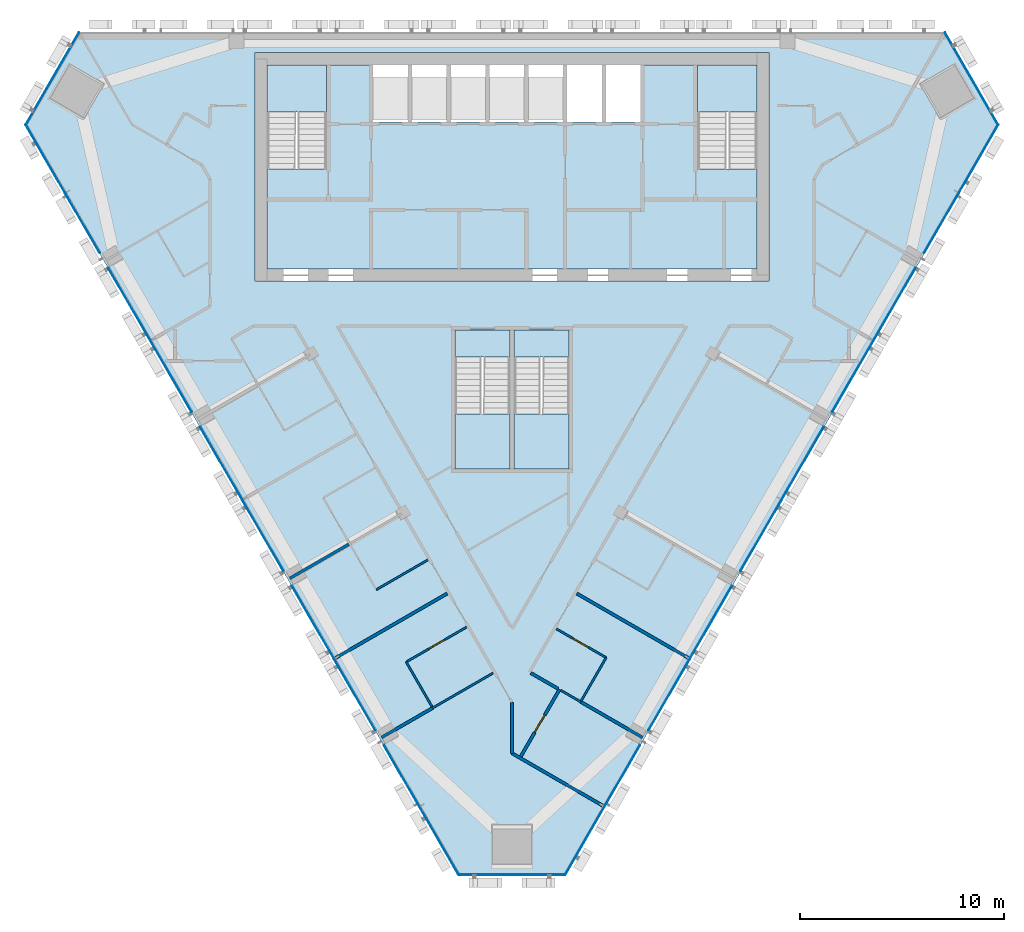
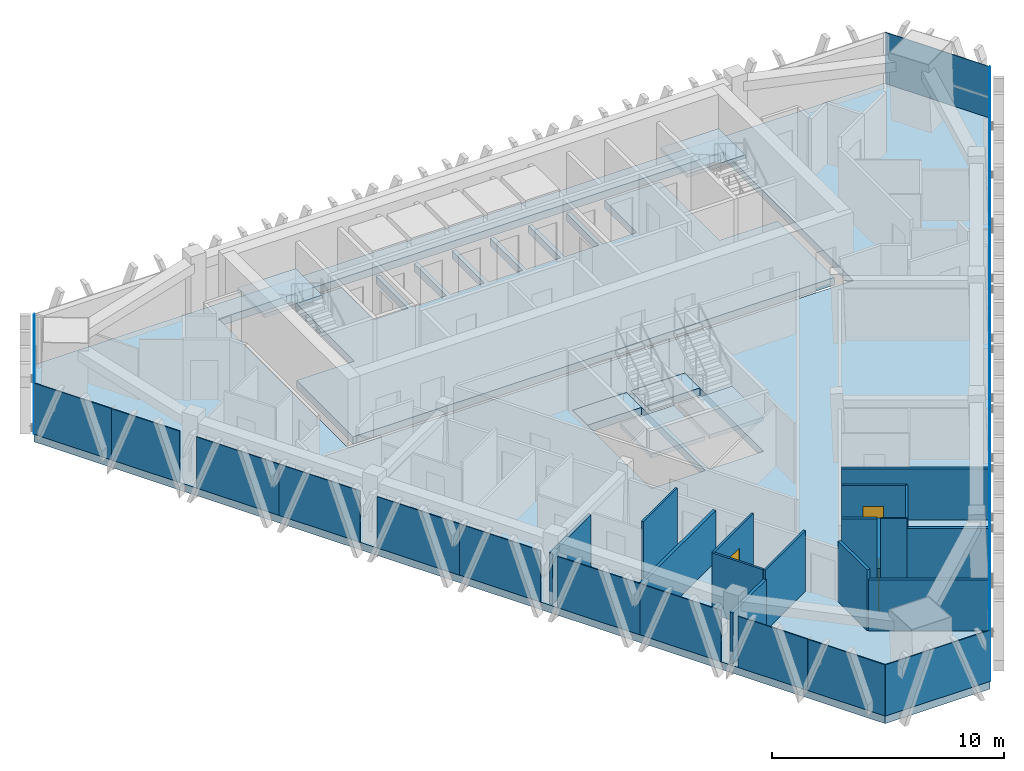
# One storey, part 7 of 15: 23 plates, 16 walls, 8 slabs, 3 doors, 3 openings, 9 elements without a shape of their own.
"""IFC4 building model written with IfcOpenShell, lengths in metres."""

import ifcopenshell
import ifcopenshell.guid

model = None  # the IFC model being written
_history = None  # IfcOwnerHistory: only IFC2X3 demands one
_inside = {}  # id of a spatial element -> (the spatial element, [elements in it])
_under = {}  # id of a project, library or spatial element -> (it, [spatial elements below it])
_declared = {}  # id of a project -> (the project, [libraries it declares])
_typed = {}  # id of a type object -> (the type object, [elements of that type])
_made_of = {}  # id of a material, layer set ... -> (it, [elements and type objects made of it])


def new_model(schema):
    """Start an empty IFC model of exactly this schema.

    Asked for "IFC4X3", IfcOpenShell would pick the latest addendum, in which some entities
    have other attributes; the version numbers below select the first issue.
    IFC2X3 requires an IfcOwnerHistory on every rooted entity: one is made here for all.
    """
    global model, _history
    if schema == "IFC4X3":
        model = ifcopenshell.file(schema_version=(4, 3, 0, 0))
    else:
        model = ifcopenshell.file(schema=schema)
    _inside.clear()
    _under.clear()
    _declared.clear()
    _typed.clear()
    _made_of.clear()
    _history = None
    if model.schema == "IFC2X3":
        org = make("IfcOrganization", Name="unknown")
        user = make(
            "IfcPersonAndOrganization",
            ThePerson=make("IfcPerson", FamilyName="unknown"),
            TheOrganization=org,
        )
        app = make(
            "IfcApplication",
            ApplicationDeveloper=org,
            Version="unknown",
            ApplicationFullName="unknown",
            ApplicationIdentifier="unknown",
        )
        _history = make(
            "IfcOwnerHistory",
            OwningUser=user,
            OwningApplication=app,
            ChangeAction="ADDED",
            CreationDate=0,
        )
    return model


def make(cls, **values):
    """One entity of the class cls with the attributes given. An attribute that is None is left unset."""
    return model.create_entity(
        cls, **{name: value for name, value in values.items() if value is not None}
    )


def rooted(cls, **values):
    """An entity with a GlobalId (a new one), such as an element, a storey or a relation."""
    return make(cls, GlobalId=ifcopenshell.guid.new(), OwnerHistory=_history, **values)


def si_unit(unit_type, name, prefix=None):
    """IfcSIUnit, for example si_unit("LENGTHUNIT", "METRE", prefix="MILLI")."""
    return make("IfcSIUnit", UnitType=unit_type, Prefix=prefix, Name=name)


def assignment(units):
    """IfcUnitAssignment: the units of a project."""
    return None if units is None else make("IfcUnitAssignment", Units=units)


def point(xyz):
    """IfcCartesianPoint."""
    return None if xyz is None else make("IfcCartesianPoint", Coordinates=xyz)


def direction(xyz):
    """IfcDirection."""
    return None if xyz is None else make("IfcDirection", DirectionRatios=xyz)


def frame(location, z_axis=None, x_axis=None):
    """IfcAxis2Placement3D, a coordinate frame: its origin and axes. An axis left out is left unset."""
    return make(
        "IfcAxis2Placement3D",
        Location=point(location),
        Axis=direction(z_axis),
        RefDirection=direction(x_axis),
    )


def frame_2d(location, x_axis=None):
    """IfcAxis2Placement2D, a coordinate frame in the plane: its origin and x axis."""
    return make(
        "IfcAxis2Placement2D", Location=point(location), RefDirection=direction(x_axis)
    )


def origin():
    """The frame at (0, 0, 0) with its axes left unset."""
    return frame((0.0, 0.0, 0.0))


def origin_2d():
    """The frame at (0, 0) in the plane with its x axis left unset."""
    return frame_2d((0.0, 0.0))


def place(relative_to, where):
    """IfcLocalPlacement: puts the frame where relative to a parent placement (None: the world)."""
    return make(
        "IfcLocalPlacement", PlacementRelTo=relative_to, RelativePlacement=where
    )


def context(
    kind, dimensions, precision=None, world=None, true_north=None, identifier=None
):
    """IfcGeometricRepresentationContext, for example the 3D "Model" context."""
    return make(
        "IfcGeometricRepresentationContext",
        ContextIdentifier=identifier,
        ContextType=kind,
        CoordinateSpaceDimension=dimensions,
        Precision=precision,
        WorldCoordinateSystem=world,
        TrueNorth=true_north,
    )


def subcontext(parent, identifier, kind, view, scale=None):
    """IfcGeometricRepresentationSubContext, for example "Body" below "Model"."""
    return make(
        "IfcGeometricRepresentationSubContext",
        ContextIdentifier=identifier,
        ContextType=kind,
        ParentContext=parent,
        TargetScale=scale,
        TargetView=view,
    )


def project(units=None, contexts=None):
    """IfcProject with its units and contexts."""
    return rooted(
        "IfcProject",
        Name="project",
        RepresentationContexts=contexts,
        UnitsInContext=assignment(units),
    )


def spatial(cls, under=None, at=None, **own):
    """A site, building, storey or space (cls), placed at a placement, below another one or the project."""
    s = rooted(cls, ObjectPlacement=at, **own)
    if under is not None:
        _under.setdefault(under.id(), (under, []))[1].append(s)
    return s


def polyline(points):
    """IfcPolyline through the points."""
    return make("IfcPolyline", Points=[point(p) for p in points])


def profile(cls, at=None, kind="AREA", **sizes):
    """A parametric profile (cls). Its sizes go by their IFC names, for example OverallWidth=200.0."""
    return make(cls, ProfileType=kind, Position=at, **sizes)


def rectangle(**sizes):
    """IfcRectangleProfileDef."""
    return profile("IfcRectangleProfileDef", **sizes)


def outline(outer, holes=None, kind="AREA"):
    """IfcArbitraryClosedProfileDef: a profile drawn as a closed curve; with holes, ...WithVoids."""
    if holes is None:
        return make("IfcArbitraryClosedProfileDef", ProfileType=kind, OuterCurve=outer)
    return make(
        "IfcArbitraryProfileDefWithVoids",
        ProfileType=kind,
        OuterCurve=outer,
        InnerCurves=holes,
    )


def extrude(swept, where, along, depth):
    """IfcExtrudedAreaSolid: the profile swept, set in the frame where, extruded along a direction by depth."""
    return make(
        "IfcExtrudedAreaSolid",
        SweptArea=swept,
        Position=where,
        ExtrudedDirection=direction(along),
        Depth=depth,
    )


def shape(context_of_items, identifier, shape_type, items):
    """IfcShapeRepresentation: the items that make up one representation, for example the "Body"."""
    return make(
        "IfcShapeRepresentation",
        ContextOfItems=context_of_items,
        RepresentationIdentifier=identifier,
        RepresentationType=shape_type,
        Items=items,
    )


def material(Name=None, Category=None):
    """IfcMaterial."""
    return make("IfcMaterial", Name=Name, Category=Category)


def layer(
    of_material, thickness, ventilated=None, Name=None, Category=None, Priority=None
):
    """IfcMaterialLayer: one layer of a wall or slab, of a material (None: an air gap)."""
    return make(
        "IfcMaterialLayer",
        Material=of_material,
        LayerThickness=thickness,
        IsVentilated=ventilated,
        Name=Name,
        Category=Category,
        Priority=Priority,
    )


def layer_set(layers, Name=None):
    """IfcMaterialLayerSet."""
    return make("IfcMaterialLayerSet", MaterialLayers=layers, LayerSetName=Name)


def made_of(thing, what):
    """Note that an element or type object is made of a material, layer set ...; save() writes the relation."""
    if what is not None:
        _made_of.setdefault(what.id(), (what, []))[1].append(thing)
    return thing


def type_object(cls, material=None, **own):
    """A type object (cls), such as IfcWallType, which elements share."""
    return made_of(rooted(cls, **own), material)


def element(
    cls,
    number,
    at=None,
    inside=None,
    cuts=None,
    type_object=None,
    material=None,
    context=None,
    identifier="Body",
    shape_type=None,
    held_by="IfcProductDefinitionShape",
    body=None,
    shapes=None,
    **own,
):
    """One element of the class cls, such as IfcWall. Its Tag is "e" and its number.

    at: its placement. inside: the storey or other place that contains it. cuts: it is an
    opening in that element (IfcRelVoidsElement). A single representation is given by context,
    identifier, shape_type and body (its items); several are given by shapes. held_by: the class
    of the entity that holds the representations. save() writes the other relations.
    """
    e = rooted(cls, Tag="e%d" % number, ObjectPlacement=at, **own)
    if body is not None:
        shapes = [shape(context, identifier, shape_type, body)]
    if shapes is not None:
        e.Representation = make(held_by, Representations=shapes)
    if inside is not None:
        _inside.setdefault(inside.id(), (inside, []))[1].append(e)
    if cuts is not None:
        rooted(
            "IfcRelVoidsElement", RelatingBuildingElement=cuts, RelatedOpeningElement=e
        )
    if type_object is not None:
        _typed.setdefault(type_object.id(), (type_object, []))[1].append(e)
    return made_of(e, material)


def fill(opening, filler):
    """IfcRelFillsElement: the door or window that sits in an opening."""
    return rooted(
        "IfcRelFillsElement",
        RelatingOpeningElement=opening,
        RelatedBuildingElement=filler,
    )


def aggregate(whole, parts):
    """IfcRelAggregates: a whole, such as a stair, and the parts it consists of."""
    return rooted("IfcRelAggregates", RelatingObject=whole, RelatedObjects=parts)


def save(model, path):
    """Write the relations noted so far, then the file.

    IfcRelAggregates (storeys below a building ...), IfcRelContainedInSpatialStructure (elements
    in a storey), IfcRelDefinesByType, IfcRelAssociatesMaterial and IfcRelDeclares: one each for
    every whole, place, type object, material and project.
    """
    for whole, parts in _under.values():
        aggregate(whole, parts)
    for where, things in _inside.values():
        rooted(
            "IfcRelContainedInSpatialStructure",
            RelatedElements=things,
            RelatingStructure=where,
        )
    for kind, things in _typed.values():
        rooted("IfcRelDefinesByType", RelatedObjects=things, RelatingType=kind)
    for what, things in _made_of.values():
        rooted("IfcRelAssociatesMaterial", RelatedObjects=things, RelatingMaterial=what)
    for by, libraries in _declared.values():
        rooted("IfcRelDeclares", RelatingContext=by, RelatedDefinitions=libraries)
    model.write(path)


model = new_model("IFC4")

# Units and contexts
model_context = context("Model", 3, precision=1e-05, world=origin(), true_north=direction((0.0, 1.0)))
body_context = subcontext(model_context, "Body", "Model", "MODEL_VIEW")
ifc_project = project(units=[si_unit("LENGTHUNIT", "METRE"), si_unit("AREAUNIT", "SQUARE_METRE"), si_unit("VOLUMEUNIT", "CUBIC_METRE"), si_unit("PLANEANGLEUNIT", "RADIAN"), si_unit("MASSUNIT", "GRAM", prefix="KILO")], contexts=[model_context])

# Site, building, storey
site_placement = place(None, origin())
site = spatial("IfcSite", under=ifc_project, at=site_placement, CompositionType="ELEMENT")
building_placement = place(site_placement, origin())
building = spatial("IfcBuilding", under=site, at=building_placement, Name="Altiplano Prism Tower", CompositionType="ELEMENT")
storey_placement = place(building_placement, frame((0.0, 0.0, 250.0)))
storey = spatial("IfcBuildingStorey", under=building, at=storey_placement, Name="L64", CompositionType="ELEMENT", Elevation=250.0)

# Curtain wall, plate
ifc_material_1 = material(Name="Aluminium and glass", Category="aluminium")
ifc_layer_1 = layer(ifc_material_1, 0.280029296875)
ifc_layer_set_1 = layer_set([ifc_layer_1], Name="Aluminium and glass")
curtain_wall_type = type_object("IfcCurtainWallType", Name="CW1 typical co-living unitised curtain wall", PredefinedType="NOTDEFINED", material=ifc_layer_set_1)
curtain_wall_1_placement = place(storey_placement, origin())
curtain_wall_1 = element("IfcCurtainWall", 1, at=curtain_wall_1_placement, inside=storey, type_object=curtain_wall_type, Name="CW1 curtain wall north-west chamfer L64", PredefinedType="NOTDEFINED")
ifc_material_2 = material(Name="Clear glass", Category="glass")
ifc_layer_2 = layer(ifc_material_2, 0.0400390625)
ifc_layer_set_2 = layer_set([ifc_layer_2], Name="Clear glass")
plate_type = type_object("IfcPlateType", Name="CW1 insulated glass unit 40", PredefinedType="CURTAIN_PANEL", material=ifc_layer_set_2)
plate_1_placement = place(storey_placement, frame((62.478271484375, 102.724365234375, 0.0), z_axis=(0.0, 0.0, 1.0), x_axis=(-0.500000018864, -0.866025392894, 0.0)))
plate_1 = element("IfcPlate", 2, at=plate_1_placement, type_object=plate_type, Name="CW1 panel", PredefinedType="CURTAIN_PANEL", context=body_context, shape_type="SweptSolid", body=[
    extrude(rectangle(XDim=5.22216796875, YDim=0.0400390625, at=origin_2d()), origin(), (0.0, 0.0, 1.0), 2.699951171875),
])
aggregate(curtain_wall_1, [plate_1])

# Curtain wall, plates
curtain_wall_2_placement = place(storey_placement, origin())
curtain_wall_2 = element("IfcCurtainWall", 3, at=curtain_wall_2_placement, inside=storey, type_object=curtain_wall_type, Name="CW1 curtain wall south-west face L64", PredefinedType="NOTDEFINED")
plate_2_placement = place(storey_placement, frame((62.136474609375, 98.804931640625, 0.0), z_axis=(0.0, 0.0, 1.0), x_axis=(0.500000000257, -0.866025403636, 0.0)))
plate_2 = element("IfcPlate", 4, at=plate_2_placement, type_object=plate_type, Name="CW1 panel", PredefinedType="CURTAIN_PANEL", context=body_context, shape_type="SweptSolid", body=[
    extrude(rectangle(XDim=3.85546875, YDim=0.0400390625, at=origin_2d()), origin(), (0.0, 0.0, 1.0), 2.699951171875),
])
plate_3_placement = place(storey_placement, frame((63.95556640625, 95.654052734375, 0.0), z_axis=(0.0, 0.0, 1.0), x_axis=(0.500000000257, -0.866025403636, 0.0)))
plate_3 = element("IfcPlate", 5, at=plate_3_placement, type_object=plate_type, Name="CW1 panel", PredefinedType="CURTAIN_PANEL", context=body_context, shape_type="SweptSolid", body=[
    extrude(rectangle(XDim=3.40087890625, YDim=0.0400390625, at=origin_2d()), origin(), (0.0, 0.0, 1.0), 2.699951171875),
])
plate_4_placement = place(storey_placement, frame((66.254638671875, 91.67236328125, 0.0), z_axis=(0.0, 0.0, 1.0), x_axis=(0.500000000257, -0.866025403636, 0.0)))
plate_4 = element("IfcPlate", 6, at=plate_4_placement, type_object=plate_type, Name="CW1 panel", PredefinedType="CURTAIN_PANEL", context=body_context, shape_type="SweptSolid", body=[
    extrude(rectangle(XDim=4.114501953125, YDim=0.0400390625, at=origin_2d()), origin(), (0.0, 0.0, 1.0), 2.699951171875),
])
plate_5_placement = place(storey_placement, frame((68.297119140625, 88.134765625, 0.0), z_axis=(0.0, 0.0, 1.0), x_axis=(0.500000000257, -0.866025403636, 0.0)))
plate_5 = element("IfcPlate", 7, at=plate_5_placement, type_object=plate_type, Name="CW1 panel", PredefinedType="CURTAIN_PANEL", context=body_context, shape_type="SweptSolid", body=[
    extrude(rectangle(XDim=4.035400390625, YDim=0.0400390625, at=origin_2d()), origin(), (0.0, 0.0, 1.0), 2.699951171875),
])
plate_6_placement = place(storey_placement, frame((70.754638671875, 83.878173828125, 0.0), z_axis=(0.0, 0.0, 1.0), x_axis=(0.500000000257, -0.866025403636, 0.0)))
plate_6 = element("IfcPlate", 8, at=plate_6_placement, type_object=plate_type, Name="CW1 panel", PredefinedType="CURTAIN_PANEL", context=body_context, shape_type="SweptSolid", body=[
    extrude(rectangle(XDim=4.114501953125, YDim=0.0400390625, at=origin_2d()), origin(), (0.0, 0.0, 1.0), 2.699951171875),
])
plate_7_placement = place(storey_placement, frame((72.797119140625, 80.34033203125, 0.0), z_axis=(0.0, 0.0, 1.0), x_axis=(0.500000000257, -0.866025403636, 0.0)))
plate_7 = element("IfcPlate", 9, at=plate_7_placement, type_object=plate_type, Name="CW1 panel", PredefinedType="CURTAIN_PANEL", context=body_context, shape_type="SweptSolid", body=[
    extrude(rectangle(XDim=4.035400390625, YDim=0.0400390625, at=origin_2d()), origin(), (0.0, 0.0, 1.0), 2.699951171875),
])
plate_8_placement = place(storey_placement, frame((75.254638671875, 76.083984375, 0.0), z_axis=(0.0, 0.0, 1.0), x_axis=(0.500000000257, -0.866025403636, 0.0)))
plate_8 = element("IfcPlate", 10, at=plate_8_placement, type_object=plate_type, Name="CW1 panel", PredefinedType="CURTAIN_PANEL", context=body_context, shape_type="SweptSolid", body=[
    extrude(rectangle(XDim=4.114501953125, YDim=0.0400390625, at=origin_2d()), origin(), (0.0, 0.0, 1.0), 2.699951171875),
])
plate_9_placement = place(storey_placement, frame((77.297119140625, 72.546142578125, 0.0), z_axis=(0.0, 0.0, 1.0), x_axis=(0.500000000257, -0.866025403636, 0.0)))
plate_9 = element("IfcPlate", 11, at=plate_9_placement, type_object=plate_type, Name="CW1 panel", PredefinedType="CURTAIN_PANEL", context=body_context, shape_type="SweptSolid", body=[
    extrude(rectangle(XDim=4.035400390625, YDim=0.0400390625, at=origin_2d()), origin(), (0.0, 0.0, 1.0), 2.699951171875),
])
plate_10_placement = place(storey_placement, frame((79.595947265625, 68.564453125, 0.0), z_axis=(0.0, 0.0, 1.0), x_axis=(0.500000000257, -0.866025403636, 0.0)))
plate_10 = element("IfcPlate", 12, at=plate_10_placement, type_object=plate_type, Name="CW1 panel", PredefinedType="CURTAIN_PANEL", context=body_context, shape_type="SweptSolid", body=[
    extrude(rectangle(XDim=3.47998046875, YDim=0.0400390625, at=origin_2d()), origin(), (0.0, 0.0, 1.0), 2.699951171875),
])
plate_11_placement = place(storey_placement, frame((81.434814453125, 65.37939453125, 0.0), z_axis=(0.0, 0.0, 1.0), x_axis=(0.500000000257, -0.866025403636, 0.0)))
plate_11 = element("IfcPlate", 13, at=plate_11_placement, type_object=plate_type, Name="CW1 panel", PredefinedType="CURTAIN_PANEL", context=body_context, shape_type="SweptSolid", body=[
    extrude(rectangle(XDim=3.85546875, YDim=0.0400390625, at=origin_2d()), origin(), (0.0, 0.0, 1.0), 2.699951171875),
])
aggregate(curtain_wall_2, [plate_2, plate_3, plate_4, plate_5, plate_6, plate_7, plate_8, plate_9, plate_10, plate_11])

# Curtain wall, plate
curtain_wall_3_placement = place(storey_placement, origin())
curtain_wall_3 = element("IfcCurtainWall", 14, at=curtain_wall_3_placement, inside=storey, type_object=curtain_wall_type, Name="CW1 curtain wall south chamfer L64", PredefinedType="NOTDEFINED")
plate_12_placement = place(storey_placement, frame((85.0, 63.715576171875, 0.0), z_axis=(0.0, 0.0, 1.0), x_axis=(1.0, 0.0, 0.0)))
plate_12 = element("IfcPlate", 15, at=plate_12_placement, type_object=plate_type, Name="CW1 panel", PredefinedType="CURTAIN_PANEL", context=body_context, shape_type="SweptSolid", body=[
    extrude(rectangle(XDim=5.22216796875, YDim=0.0400390625, at=origin_2d()), origin(), (0.0, 0.0, 1.0), 2.699951171875),
])
aggregate(curtain_wall_3, [plate_12])

# Curtain wall, plates
curtain_wall_4_placement = place(storey_placement, origin())
curtain_wall_4 = element("IfcCurtainWall", 16, at=curtain_wall_4_placement, inside=storey, type_object=curtain_wall_type, Name="CW1 curtain wall south-east face L64", PredefinedType="NOTDEFINED")
plate_13_placement = place(storey_placement, frame((88.565185546875, 65.37939453125, 0.0), z_axis=(0.0, 0.0, 1.0), x_axis=(0.500000000257, 0.866025403636, 0.0)))
plate_13 = element("IfcPlate", 17, at=plate_13_placement, type_object=plate_type, Name="CW1 panel", PredefinedType="CURTAIN_PANEL", context=body_context, shape_type="SweptSolid", body=[
    extrude(rectangle(XDim=3.85546875, YDim=0.0400390625, at=origin_2d()), origin(), (0.0, 0.0, 1.0), 2.699951171875),
])
plate_14_placement = place(storey_placement, frame((90.404052734375, 68.564453125, 0.0), z_axis=(0.0, 0.0, 1.0), x_axis=(0.500000000257, 0.866025403636, 0.0)))
plate_14 = element("IfcPlate", 18, at=plate_14_placement, type_object=plate_type, Name="CW1 panel", PredefinedType="CURTAIN_PANEL", context=body_context, shape_type="SweptSolid", body=[
    extrude(rectangle(XDim=3.47998046875, YDim=0.0400390625, at=origin_2d()), origin(), (0.0, 0.0, 1.0), 2.699951171875),
])
plate_15_placement = place(storey_placement, frame((92.702880859375, 72.546142578125, 0.0), z_axis=(0.0, 0.0, 1.0), x_axis=(0.500000000257, 0.866025403636, 0.0)))
plate_15 = element("IfcPlate", 19, at=plate_15_placement, type_object=plate_type, Name="CW1 panel", PredefinedType="CURTAIN_PANEL", context=body_context, shape_type="SweptSolid", body=[
    extrude(rectangle(XDim=4.035400390625, YDim=0.0400390625, at=origin_2d()), origin(), (0.0, 0.0, 1.0), 2.699951171875),
])
plate_16_placement = place(storey_placement, frame((94.745361328125, 76.083984375, 0.0), z_axis=(0.0, 0.0, 1.0), x_axis=(0.500000000257, 0.866025403636, 0.0)))
plate_16 = element("IfcPlate", 20, at=plate_16_placement, type_object=plate_type, Name="CW1 panel", PredefinedType="CURTAIN_PANEL", context=body_context, shape_type="SweptSolid", body=[
    extrude(rectangle(XDim=4.114501953125, YDim=0.0400390625, at=origin_2d()), origin(), (0.0, 0.0, 1.0), 2.699951171875),
])
plate_17_placement = place(storey_placement, frame((97.202880859375, 80.34033203125, 0.0), z_axis=(0.0, 0.0, 1.0), x_axis=(0.500000000257, 0.866025403636, 0.0)))
plate_17 = element("IfcPlate", 21, at=plate_17_placement, type_object=plate_type, Name="CW1 panel", PredefinedType="CURTAIN_PANEL", context=body_context, shape_type="SweptSolid", body=[
    extrude(rectangle(XDim=4.035400390625, YDim=0.0400390625, at=origin_2d()), origin(), (0.0, 0.0, 1.0), 2.699951171875),
])
plate_18_placement = place(storey_placement, frame((99.245361328125, 83.878173828125, 0.0), z_axis=(0.0, 0.0, 1.0), x_axis=(0.500000000257, 0.866025403636, 0.0)))
plate_18 = element("IfcPlate", 22, at=plate_18_placement, type_object=plate_type, Name="CW1 panel", PredefinedType="CURTAIN_PANEL", context=body_context, shape_type="SweptSolid", body=[
    extrude(rectangle(XDim=4.114501953125, YDim=0.0400390625, at=origin_2d()), origin(), (0.0, 0.0, 1.0), 2.699951171875),
])
plate_19_placement = place(storey_placement, frame((101.702880859375, 88.134765625, 0.0), z_axis=(0.0, 0.0, 1.0), x_axis=(0.500000000257, 0.866025403636, 0.0)))
plate_19 = element("IfcPlate", 23, at=plate_19_placement, type_object=plate_type, Name="CW1 panel", PredefinedType="CURTAIN_PANEL", context=body_context, shape_type="SweptSolid", body=[
    extrude(rectangle(XDim=4.035400390625, YDim=0.0400390625, at=origin_2d()), origin(), (0.0, 0.0, 1.0), 2.699951171875),
])
plate_20_placement = place(storey_placement, frame((103.745361328125, 91.67236328125, 0.0), z_axis=(0.0, 0.0, 1.0), x_axis=(0.500000000257, 0.866025403636, 0.0)))
plate_20 = element("IfcPlate", 24, at=plate_20_placement, type_object=plate_type, Name="CW1 panel", PredefinedType="CURTAIN_PANEL", context=body_context, shape_type="SweptSolid", body=[
    extrude(rectangle(XDim=4.114501953125, YDim=0.0400390625, at=origin_2d()), origin(), (0.0, 0.0, 1.0), 2.699951171875),
])
plate_21_placement = place(storey_placement, frame((106.04443359375, 95.654052734375, 0.0), z_axis=(0.0, 0.0, 1.0), x_axis=(0.500000000257, 0.866025403636, 0.0)))
plate_21 = element("IfcPlate", 25, at=plate_21_placement, type_object=plate_type, Name="CW1 panel", PredefinedType="CURTAIN_PANEL", context=body_context, shape_type="SweptSolid", body=[
    extrude(rectangle(XDim=3.40087890625, YDim=0.0400390625, at=origin_2d()), origin(), (0.0, 0.0, 1.0), 2.699951171875),
])
plate_22_placement = place(storey_placement, frame((107.863525390625, 98.804931640625, 0.0), z_axis=(0.0, 0.0, 1.0), x_axis=(0.500000000257, 0.866025403636, 0.0)))
plate_22 = element("IfcPlate", 26, at=plate_22_placement, type_object=plate_type, Name="CW1 panel", PredefinedType="CURTAIN_PANEL", context=body_context, shape_type="SweptSolid", body=[
    extrude(rectangle(XDim=3.85546875, YDim=0.0400390625, at=origin_2d()), origin(), (0.0, 0.0, 1.0), 2.699951171875),
])
aggregate(curtain_wall_4, [plate_13, plate_14, plate_15, plate_16, plate_17, plate_18, plate_19, plate_20, plate_21, plate_22])

# Curtain wall, plate
curtain_wall_5_placement = place(storey_placement, origin())
curtain_wall_5 = element("IfcCurtainWall", 27, at=curtain_wall_5_placement, inside=storey, type_object=curtain_wall_type, Name="CW1 curtain wall north-east chamfer L64", PredefinedType="NOTDEFINED")
plate_23_placement = place(storey_placement, frame((107.521728515625, 102.724365234375, 0.0), z_axis=(0.0, 0.0, 1.0), x_axis=(-0.500000018864, 0.866025392894, 0.0)))
plate_23 = element("IfcPlate", 28, at=plate_23_placement, type_object=plate_type, Name="CW1 panel", PredefinedType="CURTAIN_PANEL", context=body_context, shape_type="SweptSolid", body=[
    extrude(rectangle(XDim=5.22216796875, YDim=0.0400390625, at=origin_2d()), origin(), (0.0, 0.0, 1.0), 2.699951171875),
])
aggregate(curtain_wall_5, [plate_23])

# Slabs
ifc_material_3 = material(Name="Concrete C40/50", Category="concrete")
ifc_layer_3 = layer(ifc_material_3, 0.39990234375)
ifc_layer_set_3 = layer_set([ifc_layer_3], Name="Concrete C40/50")
slab_type_1 = type_object("IfcSlabType", Name="Core floor slab 400", PredefinedType="FLOOR", material=ifc_layer_set_3)
slab_1_placement = place(storey_placement, frame((0.0, 0.0, -0.39990234375)))
element("IfcSlab", 29, at=slab_1_placement, inside=storey, type_object=slab_type_1, Name="Core floor slab L64", PredefinedType="FLOOR", context=body_context, shape_type="SweptSolid", body=[
    extrude(outline(polyline([(97.0, 98.31005859375), (94.10009765625, 98.31005859375), (94.10009765625, 103.39990234375), (91.300048828125, 103.39990234375), (91.300048828125, 100.60009765625), (89.60009765625, 100.60009765625), (89.60009765625, 103.39990234375), (89.39990234375, 103.39990234375), (89.39990234375, 100.60009765625), (87.699951171875, 100.60009765625), (87.699951171875, 103.39990234375), (87.5, 103.39990234375), (87.5, 100.60009765625), (85.800048828125, 100.60009765625), (85.800048828125, 103.39990234375), (85.60009765625, 103.39990234375), (85.60009765625, 100.60009765625), (83.89990234375, 100.60009765625), (83.89990234375, 103.39990234375), (83.699951171875, 103.39990234375), (83.699951171875, 100.60009765625), (82.0, 100.60009765625), (82.0, 103.39990234375), (81.800048828125, 103.39990234375), (81.800048828125, 100.60009765625), (80.10009765625, 100.60009765625), (80.10009765625, 103.39990234375), (79.89990234375, 103.39990234375), (79.89990234375, 100.60009765625), (78.199951171875, 100.60009765625), (78.199951171875, 103.39990234375), (75.89990234375, 103.39990234375), (75.89990234375, 98.31005859375), (73.0, 98.31005859375), (73.0, 93.39990234375), (97.0, 93.39990234375), (97.0, 98.31005859375)])), origin(), (0.0, 0.0, 1.0), 0.39990234375),
])
slab_2_placement = place(storey_placement, frame((0.0, 0.0, -0.39990234375)))
element("IfcSlab", 30, at=slab_2_placement, inside=storey, type_object=slab_type_1, Name="Stair 3A landing slab L64", PredefinedType="FLOOR", context=body_context, shape_type="SweptSolid", body=[
    extrude(outline(polyline([(82.199951171875, 89.096923828125), (84.89990234375, 89.096923828125), (84.89990234375, 90.39990234375), (82.199951171875, 90.39990234375), (82.199951171875, 89.096923828125)])), origin(), (0.0, 0.0, 1.0), 0.39990234375),
])
slab_3_placement = place(storey_placement, frame((0.0, 0.0, -0.39990234375)))
element("IfcSlab", 31, at=slab_3_placement, inside=storey, type_object=slab_type_1, Name="Stair 3B landing slab L64", PredefinedType="FLOOR", context=body_context, shape_type="SweptSolid", body=[
    extrude(outline(polyline([(85.10009765625, 89.096923828125), (87.800048828125, 89.096923828125), (87.800048828125, 90.39990234375), (85.10009765625, 90.39990234375), (85.10009765625, 89.096923828125)])), origin(), (0.0, 0.0, 1.0), 0.39990234375),
])
ifc_layer_4 = layer(ifc_material_3, 0.39990234375)
ifc_layer_set_4 = layer_set([ifc_layer_4], Name="Concrete C40/50")
slab_type_2 = type_object("IfcSlabType", Name="Post-tensioned flat slab 400", PredefinedType="FLOOR", material=ifc_layer_set_4)
slab_4_placement = place(storey_placement, frame((0.0, 0.0, -0.39990234375)))
element("IfcSlab", 32, at=slab_4_placement, inside=storey, type_object=slab_type_2, Name="Floor slab L64", PredefinedType="FLOOR", context=body_context, shape_type="SweptSolid", body=[
    extrude(outline(polyline([(82.384033203125, 63.695556640625), (61.15283203125, 100.46875), (63.768798828125, 105.0), (106.231201171875, 105.0), (108.84716796875, 100.46875), (87.615966796875, 63.695556640625), (82.384033203125, 63.695556640625)]), holes=[polyline([(72.39990234375, 104.0), (72.39990234375, 92.800048828125), (97.60009765625, 92.800048828125), (97.60009765625, 104.0), (72.39990234375, 104.0)]), polyline([(84.89990234375, 90.39990234375), (82.199951171875, 90.39990234375), (82.199951171875, 83.60009765625), (84.89990234375, 83.60009765625), (84.89990234375, 90.39990234375)]), polyline([(87.800048828125, 83.60009765625), (87.800048828125, 90.39990234375), (85.10009765625, 90.39990234375), (85.10009765625, 83.60009765625), (87.800048828125, 83.60009765625)])]), origin(), (0.0, 0.0, 1.0), 0.39990234375),
])

# Stair, slab
stair_type_1 = type_object("IfcStairType", Name="Exit stair 1400", PredefinedType="HALF_TURN_STAIR", material=ifc_material_3)
stair_1_placement = place(storey_placement, origin())
stair_1 = element("IfcStair", 33, at=stair_1_placement, inside=storey, type_object=stair_type_1, Name="L64 Exit Stair 1", PredefinedType="HALF_TURN_STAIR")
ifc_layer_5 = layer(ifc_material_3, 0.199951171875)
ifc_layer_set_5 = layer_set([ifc_layer_5], Name="Concrete C40/50")
slab_type_3 = type_object("IfcSlabType", Name="Stair landing 200", PredefinedType="LANDING", material=ifc_layer_set_5)
slab_5_placement = place(storey_placement, frame((0.0, 0.0, 1.60009765625)))
slab_5 = element("IfcSlab", 34, at=slab_5_placement, type_object=slab_type_3, Name="ST1 landing 1", PredefinedType="LANDING", context=body_context, shape_type="SweptSolid", body=[
    extrude(outline(polyline([(75.89990234375, 101.096923828125), (75.89990234375, 103.39990234375), (73.0, 103.39990234375), (73.0, 101.096923828125), (75.89990234375, 101.096923828125)])), origin(), (0.0, 0.0, 1.0), 0.199951171875),
])
aggregate(stair_1, [slab_5])

stair_2_placement = place(storey_placement, origin())
stair_2 = element("IfcStair", 35, at=stair_2_placement, inside=storey, type_object=stair_type_1, Name="L64 Exit Stair 2", PredefinedType="HALF_TURN_STAIR")
slab_6_placement = place(storey_placement, frame((0.0, 0.0, 1.60009765625)))
slab_6 = element("IfcSlab", 36, at=slab_6_placement, type_object=slab_type_3, Name="ST2 landing 1", PredefinedType="LANDING", context=body_context, shape_type="SweptSolid", body=[
    extrude(outline(polyline([(97.0, 101.096923828125), (97.0, 103.39990234375), (94.10009765625, 103.39990234375), (94.10009765625, 101.096923828125), (97.0, 101.096923828125)])), origin(), (0.0, 0.0, 1.0), 0.199951171875),
])
aggregate(stair_2, [slab_6])

stair_type_2 = type_object("IfcStairType", Name="Exit stair 1300", PredefinedType="HALF_TURN_STAIR", material=ifc_material_3)
stair_3_placement = place(storey_placement, origin())
stair_3 = element("IfcStair", 37, at=stair_3_placement, inside=storey, type_object=stair_type_2, Name="L64 Exit Stair 3A", PredefinedType="HALF_TURN_STAIR")
slab_7_placement = place(storey_placement, frame((0.0, 0.0, 1.60009765625)))
slab_7 = element("IfcSlab", 38, at=slab_7_placement, type_object=slab_type_3, Name="ST3A landing 1", PredefinedType="LANDING", context=body_context, shape_type="SweptSolid", body=[
    extrude(outline(polyline([(82.199951171875, 86.302978515625), (82.199951171875, 83.60009765625), (84.89990234375, 83.60009765625), (84.89990234375, 86.302978515625), (82.199951171875, 86.302978515625)])), origin(), (0.0, 0.0, 1.0), 0.199951171875),
])
aggregate(stair_3, [slab_7])

stair_4_placement = place(storey_placement, origin())
stair_4 = element("IfcStair", 39, at=stair_4_placement, inside=storey, type_object=stair_type_2, Name="L64 Exit Stair 3B", PredefinedType="HALF_TURN_STAIR")
slab_8_placement = place(storey_placement, frame((0.0, 0.0, 1.60009765625)))
slab_8 = element("IfcSlab", 40, at=slab_8_placement, type_object=slab_type_3, Name="ST3B landing 1", PredefinedType="LANDING", context=body_context, shape_type="SweptSolid", body=[
    extrude(outline(polyline([(85.10009765625, 86.302978515625), (85.10009765625, 83.60009765625), (87.800048828125, 83.60009765625), (87.800048828125, 86.302978515625), (85.10009765625, 86.302978515625)])), origin(), (0.0, 0.0, 1.0), 0.199951171875),
])
aggregate(stair_4, [slab_8])

# Walls
ifc_material_4 = material(Name="Plasterboard on steel stud", Category="steel")
ifc_layer_6 = layer(ifc_material_4, 0.10009765625)
ifc_layer_set_6 = layer_set([ifc_layer_6], Name="Plasterboard on steel stud")
wall_type_1 = type_object("IfcWallType", Name="Partition 100 unit", PredefinedType="PARTITIONING", material=ifc_layer_set_6)
wall_1_placement = place(storey_placement, frame((80.882568359375, 79.14599609375, 0.0), z_axis=(0.0, 0.0, 1.0), x_axis=(-0.86601045545, -0.500025890382, 0.0)))
element("IfcWall", 41, at=wall_1_placement, inside=storey, type_object=wall_type_1, Name="Partition P02 L64 055", PredefinedType="PARTITIONING", context=body_context, shape_type="SweptSolid", body=[
    extrude(rectangle(XDim=2.925048828125, YDim=0.10009765625, at=frame_2d((1.46240234375, 0.0))), origin(), (0.0, 0.0, 1.0), 3.199951171875),
])
wall_2_placement = place(storey_placement, frame((81.078857421875, 71.955810546875, 0.0), z_axis=(0.0, 0.0, 1.0), x_axis=(-0.499976333282, 0.866039067339, 0.0)))
element("IfcWall", 42, at=wall_2_placement, inside=storey, type_object=wall_type_1, Name="Partition P02 L64 057", PredefinedType="PARTITIONING", context=body_context, shape_type="SweptSolid", body=[
    extrude(rectangle(XDim=2.52490234375, YDim=0.10009765625, at=frame_2d((1.262451171875, 0.0))), origin(), (0.0, 0.0, 1.0), 3.199951171875),
])

# Wall, opening, door
wall_3_placement = place(storey_placement, frame((79.81640625, 74.142578125, 0.0), z_axis=(0.0, 0.0, 1.0), x_axis=(0.866050272892, 0.499956922968, 0.0)))
wall_3 = element("IfcWall", 43, at=wall_3_placement, inside=storey, type_object=wall_type_1, Name="Partition P02 L64 058", PredefinedType="PARTITIONING", context=body_context, shape_type="SweptSolid", body=[
    extrude(rectangle(XDim=3.425048828125, YDim=0.10009765625, at=frame_2d((1.71240234375, 0.0))), origin(), (0.0, 0.0, 1.0), 3.199951171875),
])
opening_1_placement = place(wall_3_placement, frame((1.300048828125, 0.0, 0.0)))
opening_1 = element("IfcOpeningElement", 44, at=opening_1_placement, cuts=wall_3, Name="Opening D2096", PredefinedType="OPENING", context=body_context, shape_type="SweptSolid", body=[
    extrude(rectangle(XDim=0.89990234375, YDim=2.10009765625, at=frame_2d((0.449951171875, 1.050048828125))), frame((0.0, 0.060546875, 0.0), z_axis=(0.0, -1.0, 0.0), x_axis=(1.0, 0.0, 0.0)), (0.0, 0.0, 1.0), 0.12109375),
])
ifc_material_5 = material(Name="Timber", Category="wood")
door_type_1 = type_object("IfcDoorType", Name="Accessible ensuite door 900 x 2100", OperationType="NOTDEFINED", PredefinedType="NOTDEFINED", material=ifc_material_5)
door_1_placement = place(opening_1_placement, origin())
door_1 = element("IfcDoor", 45, at=door_1_placement, inside=storey, type_object=door_type_1, Name="Door D2096", OperationType="SINGLE_SWING_LEFT", OverallHeight=2.10009765625, OverallWidth=0.89990234375, PredefinedType="NOTDEFINED", context=body_context, shape_type="SweptSolid", body=[
    extrude(rectangle(XDim=0.89990234375, YDim=2.10009765625, at=frame_2d((0.449951171875, 1.050048828125))), frame((0.0, 0.02490234375, 0.0), z_axis=(0.0, -1.0, 0.0), x_axis=(1.0, 0.0, 0.0)), (0.0, 0.0, 1.0), 0.050048828125),
])
fill(opening_1, door_1)

wall_4_placement = place(storey_placement, frame((87.16748046875, 75.768310546875, 0.0), z_axis=(0.0, 0.0, 1.0), x_axis=(0.866048868473, -0.499959355765, 0.0)))
wall_4 = element("IfcWall", 46, at=wall_4_placement, inside=storey, type_object=wall_type_1, Name="Partition P02 L64 064", PredefinedType="PARTITIONING", context=body_context, shape_type="SweptSolid", body=[
    extrude(rectangle(XDim=2.824951171875, YDim=0.10009765625, at=frame_2d((1.41259765625, 0.0))), origin(), (0.0, 0.0, 1.0), 3.199951171875),
])
opening_2_placement = place(wall_4_placement, frame((0.925048828125, 0.0, 0.0)))
opening_2 = element("IfcOpeningElement", 47, at=opening_2_placement, cuts=wall_4, Name="Opening D2100", PredefinedType="OPENING", context=body_context, shape_type="SweptSolid", body=[
    extrude(rectangle(XDim=0.89990234375, YDim=2.10009765625, at=frame_2d((0.449951171875, 1.050048828125))), frame((0.0, 0.060546875, 0.0), z_axis=(0.0, -1.0, 0.0), x_axis=(1.0, 0.0, 0.0)), (0.0, 0.0, 1.0), 0.12109375),
])
door_type_2 = type_object("IfcDoorType", Name="Ensuite door 900 x 2100", OperationType="NOTDEFINED", PredefinedType="NOTDEFINED", material=ifc_material_5)
door_2_placement = place(opening_2_placement, origin())
door_2 = element("IfcDoor", 48, at=door_2_placement, inside=storey, type_object=door_type_2, Name="Door D2100", OperationType="SINGLE_SWING_LEFT", OverallHeight=2.10009765625, OverallWidth=0.89990234375, PredefinedType="NOTDEFINED", context=body_context, shape_type="SweptSolid", body=[
    extrude(rectangle(XDim=0.89990234375, YDim=2.10009765625, at=frame_2d((0.449951171875, 1.050048828125))), frame((0.0, 0.02490234375, 0.0), z_axis=(0.0, -1.0, 0.0), x_axis=(1.0, 0.0, 0.0)), (0.0, 0.0, 1.0), 0.050048828125),
])
fill(opening_2, door_2)

# Walls
wall_5_placement = place(storey_placement, frame((89.614013671875, 74.35595703125, 0.0), z_axis=(0.0, 0.0, 1.0), x_axis=(-0.500004234368, -0.866022959057, 0.0)))
element("IfcWall", 49, at=wall_5_placement, inside=storey, type_object=wall_type_1, Name="Partition P02 L64 065", PredefinedType="PARTITIONING", context=body_context, shape_type="SweptSolid", body=[
    extrude(rectangle(XDim=2.5, YDim=0.10009765625, at=frame_2d((1.25, 0.0))), origin(), (0.0, 0.0, 1.0), 3.199951171875),
])
ifc_layer_7 = layer(ifc_material_4, 0.10009765625)
ifc_layer_set_7 = layer_set([ifc_layer_7], Name="Plasterboard on steel stud")
wall_type_2 = type_object("IfcWallType", Name="Partition 100 wet", PredefinedType="PARTITIONING", material=ifc_layer_set_7)
wall_6_placement = place(storey_placement, frame((81.09912109375, 71.880859375, 0.0), z_axis=(0.0, 0.0, 1.0), x_axis=(0.866032163869, 0.499988291006, 0.0)))
element("IfcWall", 50, at=wall_6_placement, inside=storey, type_object=wall_type_2, Name="Partition P03 L64 060", PredefinedType="PARTITIONING", context=body_context, shape_type="SweptSolid", body=[
    extrude(rectangle(XDim=3.44482421875, YDim=0.10009765625, at=frame_2d((1.722412109375, 0.0))), origin(), (0.0, 0.0, 1.0), 3.199951171875),
])
wall_7_placement = place(storey_placement, frame((88.364013671875, 72.19091796875, 0.0), z_axis=(0.0, 0.0, 1.0), x_axis=(-0.866044658551, 0.499966648284, 0.0)))
element("IfcWall", 51, at=wall_7_placement, inside=storey, type_object=wall_type_2, Name="Partition P03 L64 063", PredefinedType="PARTITIONING", context=body_context, shape_type="SweptSolid", body=[
    extrude(rectangle(XDim=1.125, YDim=0.10009765625, at=frame_2d((0.5625, 0.0))), origin(), (0.0, 0.0, 1.0), 3.199951171875),
])
ifc_layer_8 = layer(ifc_material_4, 0.14990234375)
ifc_layer_set_8 = layer_set([ifc_layer_8], Name="Plasterboard on steel stud")
wall_type_3 = type_object("IfcWallType", Name="Partition 150 corridor", PredefinedType="PARTITIONING", material=ifc_layer_set_8)
wall_8_placement = place(storey_placement, frame((85.0, 72.164306640625, 0.0), z_axis=(0.0, 0.0, 1.0), x_axis=(0.0, -1.0, 0.0)))
element("IfcWall", 52, at=wall_8_placement, inside=storey, type_object=wall_type_3, Name="Partition P06 L64 015", PredefinedType="PARTITIONING", context=body_context, shape_type="SweptSolid", body=[
    extrude(rectangle(XDim=2.494873046875, YDim=0.14990234375, at=frame_2d((1.24755859375, 0.0))), origin(), (0.0, 0.0, 1.0), 3.199951171875),
])

# Wall, opening, door
wall_9_placement = place(storey_placement, frame((85.429443359375, 69.508056640625, 0.0), z_axis=(0.0, 0.0, 1.0), x_axis=(0.499997501644, 0.866026846206, 0.0)))
wall_9 = element("IfcWall", 53, at=wall_9_placement, inside=storey, type_object=wall_type_3, Name="Partition P06 L64 016", PredefinedType="PARTITIONING", context=body_context, shape_type="SweptSolid", body=[
    extrude(rectangle(XDim=3.79052734375, YDim=0.14990234375, at=frame_2d((1.895263671875, 0.0))), origin(), (0.0, 0.0, 1.0), 3.199951171875),
])
opening_3_placement = place(wall_9_placement, frame((1.35791015625, 0.0, 0.0)))
opening_3 = element("IfcOpeningElement", 54, at=opening_3_placement, cuts=wall_9, Name="Opening D2098", PredefinedType="OPENING", context=body_context, shape_type="SweptSolid", body=[
    extrude(rectangle(XDim=1.0, YDim=2.10009765625, at=frame_2d((0.5, 1.050048828125))), frame((0.0, 0.08544921875, 0.0), z_axis=(0.0, -1.0, 0.0), x_axis=(1.0, 0.0, 0.0)), (0.0, 0.0, 1.0), 0.1708984375),
])
door_type_3 = type_object("IfcDoorType", Name="Room door 1000 x 2100", OperationType="NOTDEFINED", PredefinedType="NOTDEFINED", material=ifc_material_5)
door_3_placement = place(opening_3_placement, origin())
door_3 = element("IfcDoor", 55, at=door_3_placement, inside=storey, type_object=door_type_3, Name="Door D2098", OperationType="SINGLE_SWING_RIGHT", OverallHeight=2.10009765625, OverallWidth=1.0, PredefinedType="NOTDEFINED", context=body_context, shape_type="SweptSolid", body=[
    extrude(rectangle(XDim=1.0, YDim=2.10009765625, at=frame_2d((0.5, 1.050048828125))), frame((0.0, 0.02490234375, 0.0), z_axis=(0.0, -1.0, 0.0), x_axis=(1.0, 0.0, 0.0)), (0.0, 0.0, 1.0), 0.050048828125),
])
fill(opening_3, door_3)

# Walls
wall_10_placement = place(storey_placement, frame((87.259765625, 72.828369140625, 0.0), z_axis=(0.0, 0.0, 1.0), x_axis=(-0.866043940782, 0.499967891604, 0.0)))
element("IfcWall", 56, at=wall_10_placement, inside=storey, type_object=wall_type_3, Name="Partition P06 L64 017", PredefinedType="PARTITIONING", context=body_context, shape_type="SweptSolid", body=[
    extrude(rectangle(XDim=1.5498046875, YDim=0.14990234375, at=frame_2d((0.77490234375, 0.0))), origin(), (0.0, 0.0, 1.0), 3.199951171875),
])
wall_11_placement = place(storey_placement, frame((89.479736328125, 67.0830078125, 0.0), z_axis=(0.0, 0.0, 1.0), x_axis=(-0.866021318185, 0.500007076399, 0.0)))
element("IfcWall", 57, at=wall_11_placement, inside=storey, type_object=wall_type_3, Name="Partition P06 L64 061", PredefinedType="PARTITIONING", context=body_context, shape_type="SweptSolid", body=[
    extrude(rectangle(XDim=5.1728515625, YDim=0.14990234375, at=frame_2d((2.58642578125, 0.0))), origin(), (0.0, 0.0, 1.0), 2.699951171875),
])
ifc_layer_9 = layer(ifc_material_4, 0.14990234375)
ifc_layer_set_9 = layer_set([ifc_layer_9], Name="Plasterboard on steel stud")
wall_type_4 = type_object("IfcWallType", Name="Partition 150 party", PredefinedType="PARTITIONING", material=ifc_layer_set_9)
wall_12_placement = place(storey_placement, frame((74.10498046875, 78.235107421875, 0.0), z_axis=(0.0, 0.0, 1.0), x_axis=(0.866014461049, 0.500018952895, 0.0)))
element("IfcWall", 58, at=wall_12_placement, inside=storey, type_object=wall_type_4, Name="Partition P01 L64 053", PredefinedType="PARTITIONING", context=body_context, shape_type="SweptSolid", body=[
    extrude(rectangle(XDim=3.349853515625, YDim=0.14990234375, at=frame_2d((1.6748046875, 0.0))), origin(), (0.0, 0.0, 1.0), 2.699951171875),
])
wall_13_placement = place(storey_placement, frame((76.33740234375, 74.327880859375, 0.0), z_axis=(0.0, 0.0, 1.0), x_axis=(0.866025401434, 0.500000004071, 0.0)))
element("IfcWall", 59, at=wall_13_placement, inside=storey, type_object=wall_type_4, Name="Partition P01 L64 056", PredefinedType="PARTITIONING", context=body_context, shape_type="SweptSolid", body=[
    extrude(rectangle(XDim=6.34521484375, YDim=0.14990234375, at=frame_2d((3.172607421875, 0.0))), origin(), (0.0, 0.0, 1.0), 2.699951171875),
])
wall_14_placement = place(storey_placement, frame((78.60498046875, 70.44091796875, 0.0), z_axis=(0.0, 0.0, 1.0), x_axis=(0.866032430508, 0.49998782916, 0.0)))
element("IfcWall", 60, at=wall_14_placement, inside=storey, type_object=wall_type_4, Name="Partition P01 L64 059", PredefinedType="PARTITIONING", context=body_context, shape_type="SweptSolid", body=[
    extrude(rectangle(XDim=2.919921875, YDim=0.14990234375, at=frame_2d((1.4599609375, 0.0))), origin(), (0.0, 0.0, 1.0), 2.699951171875),
])
wall_15_placement = place(storey_placement, frame((91.39501953125, 70.44091796875, 0.0), z_axis=(0.0, 0.0, 1.0), x_axis=(-0.866019471182, 0.500010275428, 0.0)))
element("IfcWall", 61, at=wall_15_placement, inside=storey, type_object=wall_type_4, Name="Partition P01 L64 062", PredefinedType="PARTITIONING", context=body_context, shape_type="SweptSolid", body=[
    extrude(rectangle(XDim=3.5, YDim=0.14990234375, at=frame_2d((1.75, 0.0))), origin(), (0.0, 0.0, 1.0), 2.699951171875),
])
wall_16_placement = place(storey_placement, frame((93.66259765625, 74.327880859375, 0.0), z_axis=(0.0, 0.0, 1.0), x_axis=(-0.866025401434, 0.500000004071, 0.0)))
element("IfcWall", 62, at=wall_16_placement, inside=storey, type_object=wall_type_4, Name="Partition P01 L64 066", PredefinedType="PARTITIONING", context=body_context, shape_type="SweptSolid", body=[
    extrude(rectangle(XDim=6.34521484375, YDim=0.14990234375, at=frame_2d((3.172607421875, 0.0))), origin(), (0.0, 0.0, 1.0), 2.699951171875),
])

save(model, "model.ifc")
